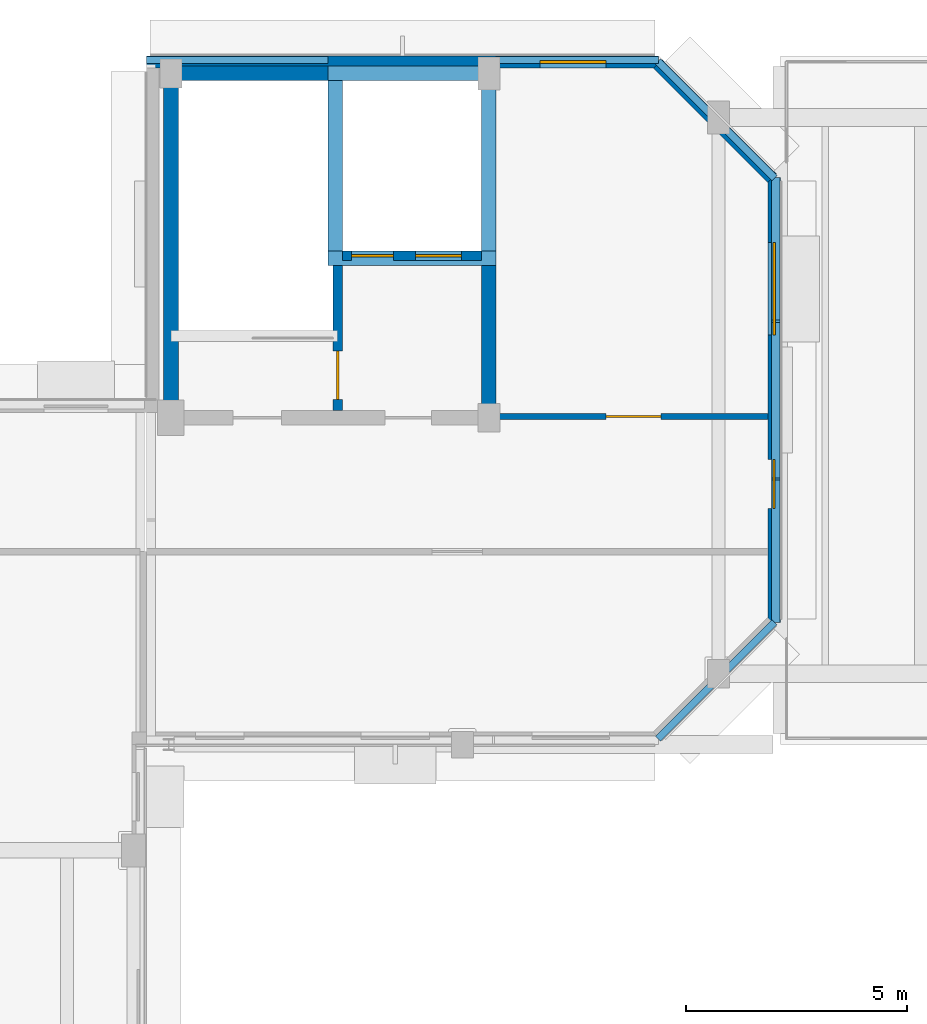
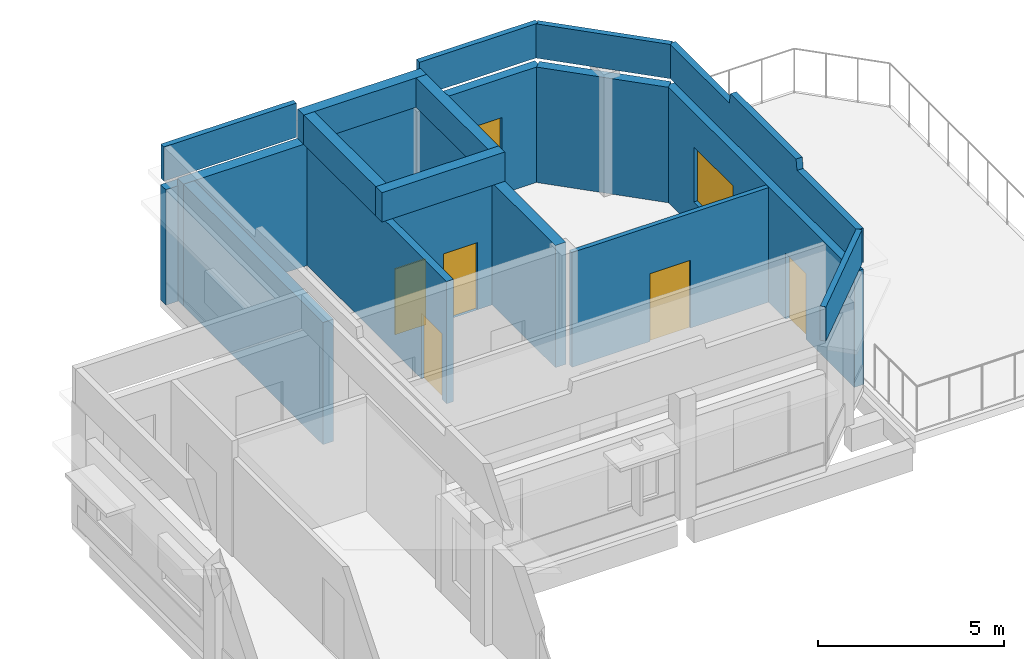
# One storey, part 13 of 17: 18 walls, 5 doors, 2 windows, 7 openings.
"""IFC4 building model written with IfcOpenShell, lengths in metres."""

from ifc_helpers import new_model, si_unit, direction, frame, frame_2d, origin, place, context, subcontext, project, spatial, polyline, rectangle, outline, extrude, material, layer, layer_set, type_object, element, fill, save


model = new_model("IFC4")

# Units and contexts
model_context = context("Model", 3, precision=1e-05, world=origin(), true_north=direction((0.0, 1.0)))
body_context = subcontext(model_context, "Body", "Model", "MODEL_VIEW")
ifc_project = project(units=[si_unit("LENGTHUNIT", "METRE"), si_unit("AREAUNIT", "SQUARE_METRE"), si_unit("VOLUMEUNIT", "CUBIC_METRE"), si_unit("PLANEANGLEUNIT", "RADIAN"), si_unit("MASSUNIT", "GRAM", prefix="KILO")], contexts=[model_context])

# Site, building, storey
site_placement = place(None, origin())
site = spatial("IfcSite", under=ifc_project, at=site_placement, CompositionType="ELEMENT")
building_placement = place(site_placement, origin())
building = spatial("IfcBuilding", under=site, at=building_placement, Name="Kelanivale Promenade Academy", CompositionType="ELEMENT")
storey_placement = place(building_placement, frame((0.0, 0.0, 20.199951171875)))
storey = spatial("IfcBuildingStorey", under=building, at=storey_placement, Name="L05", CompositionType="ELEMENT", Elevation=20.199951171875)

# Walls
ifc_material_1 = material(Name="Concrete C40/50", Category="concrete")
ifc_layer_1 = layer(ifc_material_1, 0.330078125)
ifc_layer_set_1 = layer_set([ifc_layer_1], Name="Concrete C40/50")
wall_type_1 = type_object("IfcWallType", Name="CW-S1 Wall 330mm", PredefinedType="SHEAR", material=ifc_layer_set_1)
wall_1_placement = place(storey_placement, frame((123.235107421875, 111.60009765625, 0.0), z_axis=(0.0, 0.0, 1.0), x_axis=(1.0, 0.0, 0.0)))
element("IfcWall", 1, at=wall_1_placement, inside=storey, type_object=wall_type_1, Name="CORE-5 RC shear wall N L05", PredefinedType="SHEAR", context=body_context, shape_type="SweptSolid", body=[
    extrude(rectangle(XDim=7.52978515625, YDim=0.330078125, at=frame_2d((3.764892578125, 0.0))), origin(), (0.0, 0.0, 1.0), 4.0),
])
for number, where, z_axis, x_axis, name in (
    (2, (123.39990234375, 103.965087890625, 0.0), (0.0, 0.0, 1.0), (0.0, 1.0, 0.0), "CORE-5 RC shear wall W L05"),
    (3, (130.60009765625, 103.965087890625, 0.0), (0.0, 0.0, 1.0), (0.0, 1.0, 0.0), "CORE-5 RC shear wall E L05"),
):
    element("IfcWall", number, at=place(storey_placement, frame(where, z_axis=z_axis, x_axis=x_axis)), inside=storey, type_object=wall_type_1, Name=name, PredefinedType="SHEAR", context=body_context, shape_type="SweptSolid", body=[
        extrude(rectangle(XDim=7.469970703125, YDim=0.330078125, at=frame_2d((3.73486328125, 0.0))), origin(), (0.0, 0.0, 1.0), 4.0),
    ])
for number, where, z_axis, x_axis, name in (
    (4, (126.955078125, 107.409912109375, 4.0), (0.0, 0.0, 1.0), (1.0, 0.0, 0.0), "CORE-5 lift overrun shaft wall S"),
    (5, (126.955078125, 111.60009765625, 4.0), (0.0, 0.0, 1.0), (1.0, 0.0, 0.0), "CORE-5 lift overrun shaft wall N"),
):
    element("IfcWall", number, at=place(storey_placement, frame(where, z_axis=z_axis, x_axis=x_axis)), inside=storey, type_object=wall_type_1, Name=name, PredefinedType="SHEAR", context=body_context, shape_type="SweptSolid", body=[
        extrude(rectangle(XDim=3.809814453125, YDim=0.330078125, at=frame_2d((1.90478515625, 0.0))), origin(), (0.0, 0.0, 1.0), 0.9599609375),
    ])
for number, where, z_axis, x_axis, name in (
    (6, (127.1201171875, 107.574951171875, 4.0), (0.0, 0.0, 1.0), (0.0, 1.0, 0.0), "CORE-5 lift overrun shaft wall W"),
    (7, (130.60009765625, 107.574951171875, 4.0), (0.0, 0.0, 1.0), (0.0, 1.0, 0.0), "CORE-5 lift overrun shaft wall E"),
):
    element("IfcWall", number, at=place(storey_placement, frame(where, z_axis=z_axis, x_axis=x_axis)), inside=storey, type_object=wall_type_1, Name=name, PredefinedType="SHEAR", context=body_context, shape_type="SweptSolid", body=[
        extrude(rectangle(XDim=3.860107421875, YDim=0.330078125, at=frame_2d((1.93017578125, 0.0))), origin(), (0.0, 0.0, 1.0), 0.9599609375),
    ])

# Wall, openings, doors
ifc_layer_2 = layer(ifc_material_1, 0.22509765625)
ifc_layer_set_2 = layer_set([ifc_layer_2], Name="Concrete C40/50")
wall_type_2 = type_object("IfcWallType", Name="CW-S2 Wall 225mm", PredefinedType="SHEAR", material=ifc_layer_set_2)
wall_2_placement = place(storey_placement, frame((127.284912109375, 107.469970703125, 0.0), z_axis=(0.0, 0.0, 1.0), x_axis=(1.0, 0.0, 0.0)))
wall_2 = element("IfcWall", 8, at=wall_2_placement, inside=storey, type_object=wall_type_2, Name="CORE-5 lift shaft front RC wall L05", PredefinedType="SHEAR", context=body_context, shape_type="SweptSolid", body=[
    extrude(rectangle(XDim=3.150146484375, YDim=0.22509765625, at=frame_2d((1.5751953125, 0.0))), origin(), (0.0, 0.0, 1.0), 4.0),
])
opening_1_placement = place(wall_2_placement, frame((0.199951171875, 0.0, 0.0)))
opening_1 = element("IfcOpeningElement", 9, at=opening_1_placement, cuts=wall_2, Name="Opening LD-LF-FF4-L05", PredefinedType="OPENING", context=body_context, shape_type="SweptSolid", body=[
    extrude(rectangle(XDim=0.949951171875, YDim=2.14990234375, at=frame_2d((0.47509765625, 1.074951171875))), frame((0.0, 0.12255859375, 0.0), z_axis=(0.0, -1.0, 0.0), x_axis=(1.0, 0.0, 0.0)), (0.0, 0.0, 1.0), 0.2451171875),
])
opening_2_placement = place(wall_2_placement, frame((1.64990234375, 0.0, 0.0)))
opening_2 = element("IfcOpeningElement", 10, at=opening_2_placement, cuts=wall_2, Name="Opening LD-LF-P3-L05", PredefinedType="OPENING", context=body_context, shape_type="SweptSolid", body=[
    extrude(rectangle(XDim=1.050048828125, YDim=2.199951171875, at=frame_2d((0.52490234375, 1.10009765625))), frame((0.0, 0.12255859375, 0.0), z_axis=(0.0, -1.0, 0.0), x_axis=(1.0, 0.0, 0.0)), (0.0, 0.0, 1.0), 0.2451171875),
])
ifc_material_2 = material(Name="Fire-rated steel-core teak veneer", Category="steel")
door_type_1 = type_object("IfcDoorType", Name="LD-FF1 Door 950x2150", OperationType="NOTDEFINED", PredefinedType="DOOR", material=ifc_material_2)
door_1_placement = place(opening_1_placement, origin())
door_1 = element("IfcDoor", 11, at=door_1_placement, inside=storey, type_object=door_type_1, Name="Firefighting lift landing door LD-LF-FF4-L05", OperationType="SLIDING_TO_LEFT", OverallHeight=2.14990234375, OverallWidth=0.949951171875, PredefinedType="DOOR", context=body_context, shape_type="SweptSolid", body=[
    extrude(rectangle(XDim=0.949951171875, YDim=2.14990234375, at=frame_2d((0.47509765625, 1.074951171875))), frame((0.0, 0.02490234375, 0.0), z_axis=(0.0, -1.0, 0.0), x_axis=(1.0, 0.0, 0.0)), (0.0, 0.0, 1.0), 0.050048828125),
])
fill(opening_1, door_1)
door_type_2 = type_object("IfcDoorType", Name="LD-PL1 Door 1050x2200", OperationType="NOTDEFINED", PredefinedType="DOOR", material=ifc_material_2)
door_2_placement = place(opening_2_placement, origin())
door_2 = element("IfcDoor", 12, at=door_2_placement, inside=storey, type_object=door_type_2, Name="Passenger lift landing door LD-LF-P3-L05", OperationType="SLIDING_TO_RIGHT", OverallHeight=2.199951171875, OverallWidth=1.050048828125, PredefinedType="DOOR", context=body_context, shape_type="SweptSolid", body=[
    extrude(rectangle(XDim=1.050048828125, YDim=2.199951171875, at=frame_2d((0.52490234375, 1.10009765625))), frame((0.0, 0.02490234375, 0.0), z_axis=(0.0, -1.0, 0.0), x_axis=(1.0, 0.0, 0.0)), (0.0, 0.0, 1.0), 0.050048828125),
])
fill(opening_2, door_2)

# Wall, opening, door
ifc_layer_3 = layer(ifc_material_1, 0.219970703125)
ifc_layer_set_3 = layer_set([ifc_layer_3], Name="Concrete C40/50")
wall_type_3 = type_object("IfcWallType", Name="CW-S3 Wall 220mm", PredefinedType="SHEAR", material=ifc_layer_set_3)
wall_3_placement = place(storey_placement, frame((127.175048828125, 103.965087890625, 0.0), z_axis=(0.0, 0.0, 1.0), x_axis=(0.0, 1.0, 0.0)))
wall_3 = element("IfcWall", 13, at=wall_3_placement, inside=storey, type_object=wall_type_3, Name="CORE-5 stair-lobby dividing RC wall L05", PredefinedType="SHEAR", context=body_context, shape_type="SweptSolid", body=[
    extrude(rectangle(XDim=7.469970703125, YDim=0.219970703125, at=frame_2d((3.73486328125, 0.0))), origin(), (0.0, 0.0, 1.0), 4.0),
])
opening_3_placement = place(wall_3_placement, frame((0.25, 0.0, 0.0)))
opening_3 = element("IfcOpeningElement", 14, at=opening_3_placement, cuts=wall_3, Name="Opening FD-CORE-5-SL-L05", PredefinedType="OPENING", context=body_context, shape_type="SweptSolid", body=[
    extrude(rectangle(XDim=1.10009765625, YDim=2.14990234375, at=frame_2d((0.550048828125, 1.074951171875))), frame((0.0, 0.1201171875, 0.0), z_axis=(0.0, -1.0, 0.0), x_axis=(1.0, 0.0, 0.0)), (0.0, 0.0, 1.0), 0.239990234375),
])
door_type_3 = type_object("IfcDoorType", Name="DT-F01 Door 1100x2150", OperationType="NOTDEFINED", PredefinedType="DOOR", material=ifc_material_2)
door_3_placement = place(opening_3_placement, origin())
door_3 = element("IfcDoor", 15, at=door_3_placement, inside=storey, type_object=door_type_3, Name="CORE-5 lobby-to-stair fire door L05", OperationType="SINGLE_SWING_LEFT", OverallHeight=2.14990234375, OverallWidth=1.10009765625, PredefinedType="DOOR", context=body_context, shape_type="SweptSolid", body=[
    extrude(rectangle(XDim=1.10009765625, YDim=2.14990234375, at=frame_2d((0.550048828125, 1.074951171875))), frame((0.0, 0.02490234375, 0.0), z_axis=(0.0, -1.0, 0.0), x_axis=(1.0, 0.0, 0.0)), (0.0, 0.0, 1.0), 0.050048828125),
])
fill(opening_3, door_3)

# Wall, openings, door, window
ifc_material_3 = material(Name="Insulated ivory stucco masonry wall 280 mm", Category="masonry")
ifc_layer_4 = layer(ifc_material_3, 0.280029296875)
ifc_layer_set_4 = layer_set([ifc_layer_4], Name="Insulated ivory stucco masonry wall 280 mm")
wall_type_4 = type_object("IfcWallType", Name="EW-02 Wall 280mm", PredefinedType="SOLIDWALL", material=ifc_layer_set_4)
wall_4_placement = place(storey_placement, frame((137.06005859375, 99.160888671875, 0.0), z_axis=(0.0, 0.0, 1.0), x_axis=(0.0, 1.0, 0.0)))
wall_4 = element("IfcWall", 16, at=wall_4_placement, inside=storey, type_object=wall_type_4, Name="L05 exterior facade wall EW-L05-ORT-0577", PredefinedType="SOLIDWALL", context=body_context, shape_type="SweptSolid", body=[
    extrude(rectangle(XDim=10.078125, YDim=0.280029296875, at=frame_2d((5.0390625, 0.0))), origin(), (0.0, 0.0, 1.0), 3.780029296875),
])
opening_4_placement = place(wall_4_placement, frame((2.589111328125, 0.0, 0.0)))
opening_4 = element("IfcOpeningElement", 17, at=opening_4_placement, cuts=wall_4, Name="Opening XD-501", PredefinedType="OPENING", context=body_context, shape_type="SweptSolid", body=[
    extrude(rectangle(XDim=1.10009765625, YDim=2.14990234375, at=frame_2d((0.550048828125, 1.074951171875))), frame((0.0, 0.14990234375, 0.0), z_axis=(0.0, -1.0, 0.0), x_axis=(1.0, 0.0, 0.0)), (0.0, 0.0, 1.0), 0.300048828125),
])
opening_5_placement = place(wall_4_placement, frame((6.509033203125, 0.0, 0.85009765625)))
opening_5 = element("IfcOpeningElement", 18, at=opening_5_placement, cuts=wall_4, Name="Opening WT-02", PredefinedType="OPENING", context=body_context, shape_type="SweptSolid", body=[
    extrude(rectangle(XDim=2.10009765625, YDim=1.800048828125, at=frame_2d((1.050048828125, 0.89990234375))), frame((0.0, 0.14990234375, 0.0), z_axis=(0.0, -1.0, 0.0), x_axis=(1.0, 0.0, 0.0)), (0.0, 0.0, 1.0), 0.300048828125),
])
ifc_material_4 = material(Name="Bronze anodised aluminium and laminated glass", Category="aluminium")
door_type_4 = type_object("IfcDoorType", Name="DT-X07 Door 1100x2150", OperationType="NOTDEFINED", PredefinedType="DOOR", material=ifc_material_4)
door_4_placement = place(opening_4_placement, frame((1.10009765625, 0.0, 0.0), z_axis=(0.0, 0.0, 1.0), x_axis=(-1.0, 0.0, 0.0)))
door_4 = element("IfcDoor", 19, at=door_4_placement, inside=storey, type_object=door_type_4, Name="L05 Science Roof Observation Play Deck door XD-501", OperationType="SINGLE_SWING_RIGHT", OverallHeight=2.14990234375, OverallWidth=1.10009765625, PredefinedType="DOOR", context=body_context, shape_type="SweptSolid", body=[
    extrude(rectangle(XDim=1.10009765625, YDim=2.14990234375, at=frame_2d((0.550048828125, 1.074951171875))), frame((0.0, 0.02490234375, 0.0), z_axis=(0.0, -1.0, 0.0), x_axis=(1.0, 0.0, 0.0)), (0.0, 0.0, 1.0), 0.050048828125),
])
fill(opening_4, door_4)
ifc_material_5 = material(Name="Bronze anodised aluminium frame with low-E laminated glass", Category="aluminium")
window_type_1 = type_object("IfcWindowType", Name="WT-02 Window 2100x1800", PartitioningType="SINGLE_PANEL", PredefinedType="WINDOW", material=ifc_material_5)
window_1_placement = place(opening_5_placement, origin())
window_1 = element("IfcWindow", 20, at=window_1_placement, inside=storey, type_object=window_type_1, Name="Window WT-02", OverallHeight=1.800048828125, OverallWidth=2.10009765625, PartitioningType="SINGLE_PANEL", PredefinedType="WINDOW", context=body_context, shape_type="SweptSolid", body=[
    extrude(rectangle(XDim=2.10009765625, YDim=1.800048828125, at=frame_2d((1.050048828125, 0.89990234375))), frame((0.0, 0.030029296875, 0.0), z_axis=(0.0, -1.0, 0.0), x_axis=(1.0, 0.0, 0.0)), (0.0, 0.0, 1.0), 0.06005859375),
])
fill(opening_5, window_1)

# Wall
wall_5_placement = place(storey_placement, frame((137.01611328125, 109.22705078125, 0.0), z_axis=(0.0, 0.0, 1.0), x_axis=(-0.70714012034, 0.707073440461, 0.0)))
element("IfcWall", 21, at=wall_5_placement, inside=storey, type_object=wall_type_4, Name="L05 exterior facade wall EW-L05-ORT-0578", PredefinedType="SOLIDWALL", context=body_context, shape_type="SweptSolid", body=[
    extrude(rectangle(XDim=3.661376953125, YDim=0.280029296875, at=frame_2d((1.83056640625, 0.0))), origin(), (0.0, 0.0, 1.0), 3.780029296875),
])

# Wall, opening, window
wall_6_placement = place(storey_placement, frame((134.43896484375, 111.860107421875, 0.0), z_axis=(0.0, 0.0, 1.0), x_axis=(-1.0, 0.0, 0.0)))
wall_6 = element("IfcWall", 22, at=wall_6_placement, inside=storey, type_object=wall_type_4, Name="L05 exterior facade wall EW-L05-ORT-0579", PredefinedType="SOLIDWALL", context=body_context, shape_type="SweptSolid", body=[
    extrude(rectangle(XDim=11.5888671875, YDim=0.280029296875, at=frame_2d((5.79443359375, 0.0))), origin(), (0.0, 0.0, 1.0), 3.780029296875),
])
opening_6_placement = place(wall_6_placement, frame((1.180908203125, 0.0, 0.85009765625)))
opening_6 = element("IfcOpeningElement", 23, at=opening_6_placement, cuts=wall_6, Name="Opening WT-04", PredefinedType="OPENING", context=body_context, shape_type="SweptSolid", body=[
    extrude(rectangle(XDim=1.5, YDim=1.64990234375, at=frame_2d((0.75, 0.824951171875))), frame((0.0, 0.14990234375, 0.0), z_axis=(0.0, -1.0, 0.0), x_axis=(1.0, 0.0, 0.0)), (0.0, 0.0, 1.0), 0.300048828125),
])
window_type_2 = type_object("IfcWindowType", Name="WT-04 Window 1500x1650", PartitioningType="SINGLE_PANEL", PredefinedType="WINDOW", material=ifc_material_5)
window_2_placement = place(opening_6_placement, origin())
window_2 = element("IfcWindow", 24, at=window_2_placement, inside=storey, type_object=window_type_2, Name="Window WT-04", OverallHeight=1.64990234375, OverallWidth=1.5, PartitioningType="SINGLE_PANEL", PredefinedType="WINDOW", context=body_context, shape_type="SweptSolid", body=[
    extrude(rectangle(XDim=1.5, YDim=1.64990234375, at=frame_2d((0.75, 0.824951171875))), frame((0.0, 0.030029296875, 0.0), z_axis=(0.0, -1.0, 0.0), x_axis=(1.0, 0.0, 0.0)), (0.0, 0.0, 1.0), 0.06005859375),
])
fill(opening_6, window_2)

# Wall, opening, door
ifc_material_6 = material(Name="Acoustic double-stud gypsum board partition 140 mm", Category="masonry")
ifc_layer_5 = layer(ifc_material_6, 0.139892578125)
ifc_layer_set_5 = layer_set([ifc_layer_5], Name="Acoustic double-stud gypsum board partition 140 mm")
wall_type_5 = type_object("IfcWallType", Name="IW-04 Wall 140mm", PredefinedType="PARTITIONING", material=ifc_layer_set_5)
wall_7_placement = place(storey_placement, frame((130.830078125, 103.830078125, 0.0), z_axis=(0.0, 0.0, 1.0), x_axis=(1.0, 0.0, 0.0)))
wall_7 = element("IfcWall", 25, at=wall_7_placement, inside=storey, type_object=wall_type_5, Name="L05 partition Senior Computing Seminar Room", PredefinedType="PARTITIONING", context=body_context, shape_type="SweptSolid", body=[
    extrude(rectangle(XDim=6.092041015625, YDim=0.139892578125, at=frame_2d((3.0458984375, 0.0))), origin(), (0.0, 0.0, 1.0), 3.755126953125),
])
opening_7_placement = place(wall_7_placement, frame((2.4208984375, 0.0, 0.0)))
opening_7 = element("IfcOpeningElement", 26, at=opening_7_placement, cuts=wall_7, Name="Opening ID-L05-213", PredefinedType="OPENING", context=body_context, shape_type="SweptSolid", body=[
    extrude(rectangle(XDim=1.25, YDim=2.219970703125, at=frame_2d((0.625, 1.10986328125))), frame((0.0, 0.080078125, 0.0), z_axis=(0.0, -1.0, 0.0), x_axis=(1.0, 0.0, 0.0)), (0.0, 0.0, 1.0), 0.159912109375),
])
ifc_material_7 = material(Name="Solid-core tropical teak timber", Category="wood")
door_type_5 = type_object("IfcDoorType", Name="DT-I19 Door 1250x2220", OperationType="NOTDEFINED", PredefinedType="DOOR", material=ifc_material_7)
door_5_placement = place(opening_7_placement, origin())
door_5 = element("IfcDoor", 27, at=door_5_placement, inside=storey, type_object=door_type_5, Name="Senior Computing Seminar Room door ID-L05-213", OperationType="SINGLE_SWING_RIGHT", OverallHeight=2.219970703125, OverallWidth=1.25, PredefinedType="DOOR", context=body_context, shape_type="SweptSolid", body=[
    extrude(rectangle(XDim=1.25, YDim=2.219970703125, at=frame_2d((0.625, 1.10986328125))), frame((0.0, 0.02490234375, 0.0), z_axis=(0.0, -1.0, 0.0), x_axis=(1.0, 0.0, 0.0)), (0.0, 0.0, 1.0), 0.050048828125),
])
fill(opening_7, door_5)

# Walls
ifc_material_8 = material(Name="Precast concrete C40/50", Category="concrete")
ifc_layer_6 = layer(ifc_material_8, 0.195068359375)
ifc_layer_set_6 = layer_set([ifc_layer_6], Name="Precast concrete C40/50")
wall_type_6 = type_object("IfcWallType", Name="PW-01 Wall 195mm", PredefinedType="PARAPET", material=ifc_layer_set_6)
wall_8_placement = place(storey_placement, frame((137.10205078125, 99.160888671875, 4.0), z_axis=(0.0, 0.0, 1.0), x_axis=(0.0, 1.0, 0.0)))
element("IfcWall", 28, at=wall_8_placement, inside=storey, type_object=wall_type_6, Name="RF stepped Art Deco roof parapet", PredefinedType="PARAPET", context=body_context, shape_type="SweptSolid", body=[
    extrude(outline(polyline([(0.0, 0.0), (10.078125, 0.0), (10.077880859375, 1.1201171875), (6.85302734375, 1.1201171875), (6.802978515625, 1.4599609375), (3.27490234375, 1.4599609375), (3.22509765625, 1.1201171875), (0.0, 1.1201171875), (0.0, 0.0)])), frame((0.0, 0.09765625, 0.0), z_axis=(0.0, -1.0, 0.0), x_axis=(1.0, 0.0, 0.0)), (0.0, 0.0, 1.0), 0.195068359375),
])
ifc_layer_7 = layer(ifc_material_8, 0.1650390625)
ifc_layer_set_7 = layer_set([ifc_layer_7], Name="Precast concrete C40/50")
wall_type_7 = type_object("IfcWallType", Name="PW-02 Wall 165mm", PredefinedType="PARAPET", material=ifc_layer_set_7)
wall_9_placement = place(storey_placement, frame((134.428955078125, 96.527099609375, 4.0), z_axis=(0.0, 0.0, 1.0), x_axis=(0.707139427683, 0.707074133183, 0.0)))
element("IfcWall", 29, at=wall_9_placement, inside=storey, type_object=wall_type_7, Name="RF stepped Art Deco roof parapet", PredefinedType="PARAPET", context=body_context, shape_type="SweptSolid", body=[
    extrude(rectangle(XDim=3.739013671875, YDim=0.1650390625, at=frame_2d((1.86962890625, 0.0))), origin(), (0.0, 0.0, 1.0), 1.1201171875),
])
wall_10_placement = place(storey_placement, frame((137.072998046875, 109.22900390625, 4.0), z_axis=(0.0, 0.0, 1.0), x_axis=(-0.707106781187, 0.707106781187, 0.0)))
element("IfcWall", 30, at=wall_10_placement, inside=storey, type_object=wall_type_7, Name="RF stepped Art Deco roof parapet", PredefinedType="PARAPET", context=body_context, shape_type="SweptSolid", body=[
    extrude(rectangle(XDim=3.7392578125, YDim=0.1650390625, at=frame_2d((1.86962890625, 0.0))), origin(), (0.0, 0.0, 1.0), 1.1201171875),
])
wall_11_placement = place(storey_placement, frame((134.43896484375, 111.902099609375, 4.0), z_axis=(0.0, 0.0, 1.0), x_axis=(-1.0, 0.0, 0.0)))
element("IfcWall", 31, at=wall_11_placement, inside=storey, type_object=wall_type_7, Name="RF stepped Art Deco roof parapet", PredefinedType="PARAPET", context=body_context, shape_type="SweptSolid", body=[
    extrude(rectangle(XDim=3.674072265625, YDim=0.1650390625, at=frame_2d((1.8369140625, 0.0))), origin(), (0.0, 0.0, 1.0), 1.1201171875),
])
wall_12_placement = place(storey_placement, frame((126.955078125, 111.902099609375, 4.0), z_axis=(0.0, 0.0, 1.0), x_axis=(-1.0, 0.0, 0.0)))
element("IfcWall", 32, at=wall_12_placement, inside=storey, type_object=wall_type_7, Name="RF stepped Art Deco roof parapet", PredefinedType="PARAPET", context=body_context, shape_type="SweptSolid", body=[
    extrude(rectangle(XDim=4.10498046875, YDim=0.1650390625, at=frame_2d((2.052490234375, 0.0))), origin(), (0.0, 0.0, 1.0), 1.1201171875),
])

save(model, "model.ifc")
